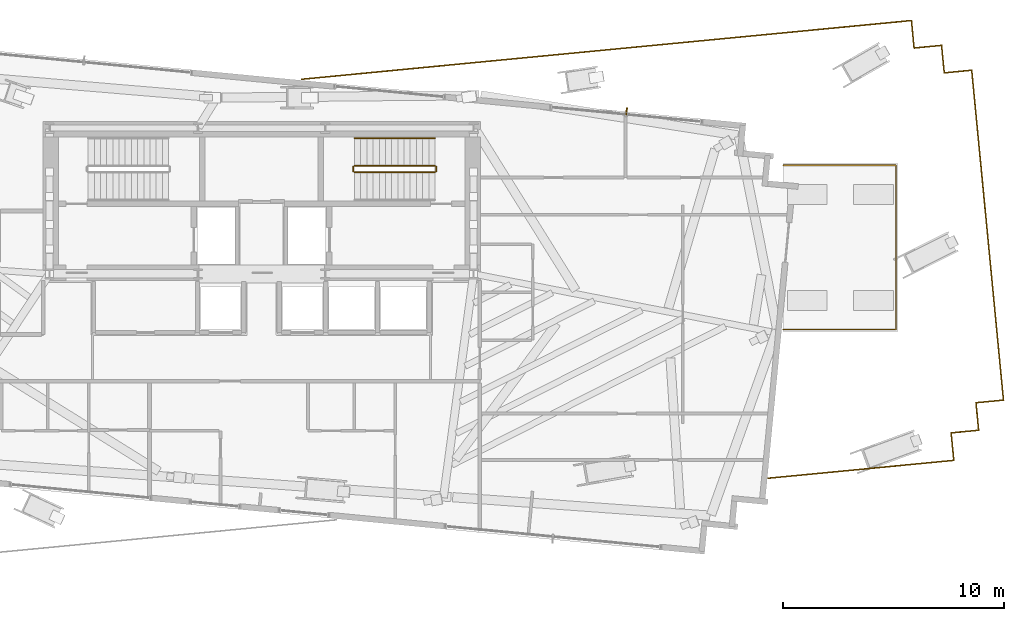
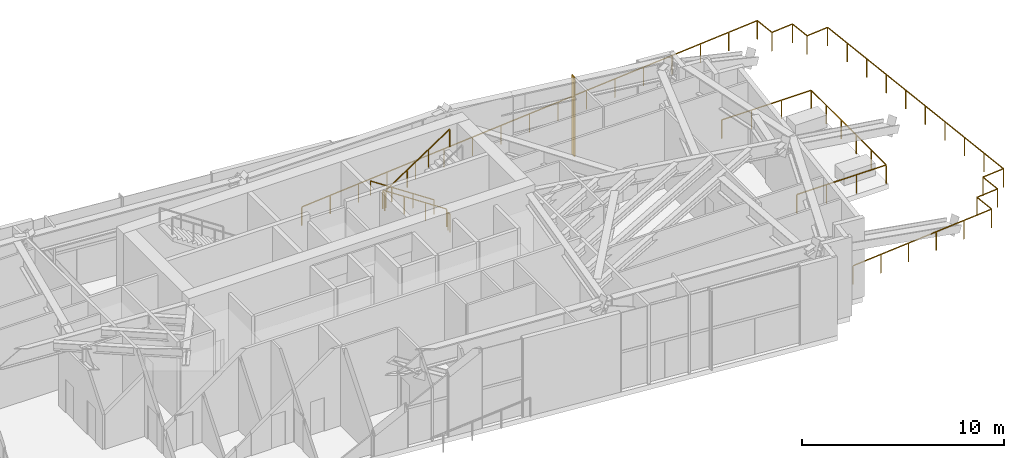
# One storey, part 22 of 23: 8 railings, 1 shading device.
"""IFC4 building model written with IfcOpenShell, lengths in metres."""

from ifc_helpers import new_model, si_unit, direction, frame, origin, origin_2d, place, context, subcontext, project, spatial, rectangle, extrude, source, transform, mapped, material, type_object, type_shapes, element, save


model = new_model("IFC4")

# Units and contexts
model_context = context("Model", 3, precision=1e-05, world=origin(), true_north=direction((0.0, 1.0)))
body_context = subcontext(model_context, "Body", "Model", "MODEL_VIEW")
ifc_project = project(units=[si_unit("LENGTHUNIT", "METRE"), si_unit("AREAUNIT", "SQUARE_METRE"), si_unit("VOLUMEUNIT", "CUBIC_METRE"), si_unit("PLANEANGLEUNIT", "RADIAN"), si_unit("MASSUNIT", "GRAM", prefix="KILO")], contexts=[model_context])

# Site, building, storey
site_placement = place(None, origin())
site = spatial("IfcSite", under=ifc_project, at=site_placement, CompositionType="ELEMENT")
building_placement = place(site_placement, origin())
building = spatial("IfcBuilding", under=site, at=building_placement, Name="Astriad Promenade Condominiums", CompositionType="ELEMENT")
storey_placement = place(building_placement, frame((0.0, 0.0, 119.39990234375)))
storey = spatial("IfcBuildingStorey", under=building, at=storey_placement, Name="L34", CompositionType="ELEMENT", Elevation=119.39990234375)

# Railings
ifc_material_1 = material(Name="Anodised Aluminium and Glass Terrace Guardrail", Category="aluminium")
railing_type_1 = type_object("IfcRailingType", Name="GRD-TERR-1150", PredefinedType="GUARDRAIL", material=ifc_material_1)
shared_shape_1 = source(origin(), body_context, "Body", "SweptSolid", [
    extrude(rectangle(XDim=0.048095703125, YDim=0.048095703125, at=origin_2d()), frame((0.0, 0.0, 1.1259765625), z_axis=(0.995390400822, 0.09590594325, 0.0), x_axis=(-0.09590594325, 0.995390400822, 0.0)), (0.0, 0.0, 1.0), 1.25),
    extrude(rectangle(XDim=0.048095703125, YDim=0.048095703125, at=origin_2d()), frame((1.244140625, 0.119873046875, 1.1259765625), z_axis=(0.09590594325, -0.995390400822, 0.0), x_axis=(0.995390400822, 0.09590594325, 0.0)), (0.0, 0.0, 1.0), 1.25),
    extrude(rectangle(XDim=0.048095703125, YDim=0.048095703125, at=origin_2d()), frame((1.364013671875, -1.124267578125, 1.1259765625), z_axis=(0.995410817983, 0.095693800434, 0.0), x_axis=(-0.095693800434, 0.995410817983, 0.0)), (0.0, 0.0, 1.0), 1.25),
    extrude(rectangle(XDim=0.048095703125, YDim=0.048095703125, at=origin_2d()), frame((2.6083984375, -1.004638671875, 1.1259765625), z_axis=(0.095833668535, -0.995397361849, 0.0), x_axis=(0.995397361849, 0.095833668535, 0.0)), (0.0, 0.0, 1.0), 15.0),
    extrude(rectangle(XDim=0.048095703125, YDim=0.048095703125, at=origin_2d()), frame((4.0458984375, -15.935546875, 1.1259765625), z_axis=(-0.995390400822, -0.09590594325, 0.0), x_axis=(0.09590594325, -0.995390400822, 0.0)), (0.0, 0.0, 1.0), 1.25),
    extrude(rectangle(XDim=0.048095703125, YDim=0.048095703125, at=origin_2d()), frame((2.8017578125, -16.055419921875, 1.1259765625), z_axis=(0.09590594325, -0.995390400822, 0.0), x_axis=(0.995390400822, 0.09590594325, 0.0)), (0.0, 0.0, 1.0), 1.25),
    extrude(rectangle(XDim=0.048095703125, YDim=0.048095703125, at=origin_2d()), frame((2.921630859375, -17.299560546875, 1.1259765625), z_axis=(-0.995392196914, -0.095887300115, 0.0), x_axis=(0.095887300115, -0.995392196914, 0.0)), (0.0, 0.0, 1.0), 1.250244140625),
    extrude(rectangle(XDim=0.048095703125, YDim=0.048095703125, at=origin_2d()), frame((1.67724609375, -17.41943359375, 1.1259765625), z_axis=(0.09590594325, -0.995390400822, 0.0), x_axis=(0.995390400822, 0.09590594325, 0.0)), (0.0, 0.0, 1.0), 1.25),
    extrude(rectangle(XDim=0.048095703125, YDim=0.048095703125, at=origin_2d()), frame((1.797119140625, -18.66357421875, 1.1259765625), z_axis=(-0.995394691254, -0.095861403202, 0.0), x_axis=(0.095861403202, -0.995394691254, 0.0)), (0.0, 0.0, 1.0), 8.429931640625),
    extrude(rectangle(XDim=0.0419921875, YDim=0.0419921875, at=origin_2d()), origin(), (0.0, 0.0, 1.0), 1.101806640625),
    extrude(rectangle(XDim=0.0419921875, YDim=0.0419921875, at=origin_2d()), frame((1.244140625, 0.119873046875, 0.0)), (0.0, 0.0, 1.0), 1.101806640625),
    extrude(rectangle(XDim=0.0419921875, YDim=0.0419921875, at=origin_2d()), frame((1.364013671875, -1.124267578125, 0.0)), (0.0, 0.0, 1.0), 1.101806640625),
    extrude(rectangle(XDim=0.0419921875, YDim=0.0419921875, at=origin_2d()), frame((2.6083984375, -1.004638671875, 0.0)), (0.0, 0.0, 1.0), 1.101806640625),
    extrude(rectangle(XDim=0.0419921875, YDim=0.0419921875, at=origin_2d()), frame((2.76806640625, -2.66357421875, 0.0)), (0.0, 0.0, 1.0), 1.101806640625),
    extrude(rectangle(XDim=0.0419921875, YDim=0.0419921875, at=origin_2d()), frame((2.927734375, -4.322509765625, 0.0)), (0.0, 0.0, 1.0), 1.101806640625),
    extrude(rectangle(XDim=0.0419921875, YDim=0.0419921875, at=origin_2d()), frame((3.087646484375, -5.981689453125, 0.0)), (0.0, 0.0, 1.0), 1.101806640625),
    extrude(rectangle(XDim=0.0419921875, YDim=0.0419921875, at=origin_2d()), frame((3.247314453125, -7.640625, 0.0)), (0.0, 0.0, 1.0), 1.101806640625),
    extrude(rectangle(XDim=0.0419921875, YDim=0.0419921875, at=origin_2d()), frame((3.406982421875, -9.299560546875, 0.0)), (0.0, 0.0, 1.0), 1.101806640625),
    extrude(rectangle(XDim=0.0419921875, YDim=0.0419921875, at=origin_2d()), frame((3.566650390625, -10.95849609375, 0.0)), (0.0, 0.0, 1.0), 1.101806640625),
    extrude(rectangle(XDim=0.0419921875, YDim=0.0419921875, at=origin_2d()), frame((3.7265625, -12.61767578125, 0.0)), (0.0, 0.0, 1.0), 1.101806640625),
    extrude(rectangle(XDim=0.0419921875, YDim=0.0419921875, at=origin_2d()), frame((3.88623046875, -14.276611328125, 0.0)), (0.0, 0.0, 1.0), 1.101806640625),
    extrude(rectangle(XDim=0.0419921875, YDim=0.0419921875, at=origin_2d()), frame((4.0458984375, -15.935546875, 0.0)), (0.0, 0.0, 1.0), 1.101806640625),
    extrude(rectangle(XDim=0.0419921875, YDim=0.0419921875, at=origin_2d()), frame((2.8017578125, -16.055419921875, 0.0)), (0.0, 0.0, 1.0), 1.101806640625),
    extrude(rectangle(XDim=0.0419921875, YDim=0.0419921875, at=origin_2d()), frame((2.921630859375, -17.299560546875, 0.0)), (0.0, 0.0, 1.0), 1.101806640625),
    extrude(rectangle(XDim=0.0419921875, YDim=0.0419921875, at=origin_2d()), frame((1.67724609375, -17.41943359375, 0.0)), (0.0, 0.0, 1.0), 1.101806640625),
    extrude(rectangle(XDim=0.0419921875, YDim=0.0419921875, at=origin_2d()), frame((1.797119140625, -18.66357421875, 0.0)), (0.0, 0.0, 1.0), 1.101806640625),
    extrude(rectangle(XDim=0.0419921875, YDim=0.0419921875, at=origin_2d()), frame((0.118896484375, -18.8251953125, 0.0)), (0.0, 0.0, 1.0), 1.101806640625),
    extrude(rectangle(XDim=0.0419921875, YDim=0.0419921875, at=origin_2d()), frame((-1.559326171875, -18.98681640625, 0.0)), (0.0, 0.0, 1.0), 1.101806640625),
    extrude(rectangle(XDim=0.0419921875, YDim=0.0419921875, at=origin_2d()), frame((-3.237548828125, -19.1484375, 0.0)), (0.0, 0.0, 1.0), 1.101806640625),
    extrude(rectangle(XDim=0.0419921875, YDim=0.0419921875, at=origin_2d()), frame((-4.915771484375, -19.31005859375, 0.0)), (0.0, 0.0, 1.0), 1.101806640625),
    extrude(rectangle(XDim=0.0419921875, YDim=0.0419921875, at=origin_2d()), frame((-6.593994140625, -19.4716796875, 0.0)), (0.0, 0.0, 1.0), 1.101806640625),
])
railing_1_placement = place(storey_placement, frame((65.53564453125, 27.626220703125, 0.0)))
element("IfcRailing", 1, at=railing_1_placement, inside=storey, type_object=railing_type_1, Name="GRD-TSTEP-L34-03", PredefinedType="GUARDRAIL", context=body_context, shape_type="MappedRepresentation", body=[
    mapped(shared_shape_1, transform((0.0, 0.0, 0.0), scale=1.0)),
])
shared_shape_2 = source(origin(), body_context, "Body", "SweptSolid", [
    extrude(rectangle(XDim=0.048095703125, YDim=0.048095703125, at=origin_2d()), frame((0.0, 0.0, 1.1259765625), z_axis=(0.995396567763, 0.095841916121, 0.0), x_axis=(-0.095841916121, 0.995396567763, 0.0)), (0.0, 0.0, 1.0), 27.730224609375),
    extrude(rectangle(XDim=0.048095703125, YDim=0.048095703125, at=origin_2d()), frame((27.6025390625, 2.65771484375, 1.1259765625), z_axis=(0.095693800434, -0.995410817983, 0.0), x_axis=(0.995410817983, 0.095693800434, 0.0)), (0.0, 0.0, 1.0), 1.25),
    extrude(rectangle(XDim=0.0419921875, YDim=0.0419921875, at=origin_2d()), origin(), (0.0, 0.0, 1.0), 1.101806640625),
    extrude(rectangle(XDim=0.0419921875, YDim=0.0419921875, at=origin_2d()), frame((1.72509765625, 0.166015625, 0.0)), (0.0, 0.0, 1.0), 1.101806640625),
    extrude(rectangle(XDim=0.0419921875, YDim=0.0419921875, at=origin_2d()), frame((3.4501953125, 0.332275390625, 0.0)), (0.0, 0.0, 1.0), 1.101806640625),
    extrude(rectangle(XDim=0.0419921875, YDim=0.0419921875, at=origin_2d()), frame((5.175537109375, 0.498291015625, 0.0)), (0.0, 0.0, 1.0), 1.101806640625),
    extrude(rectangle(XDim=0.0419921875, YDim=0.0419921875, at=origin_2d()), frame((6.900634765625, 0.66455078125, 0.0)), (0.0, 0.0, 1.0), 1.101806640625),
    extrude(rectangle(XDim=0.0419921875, YDim=0.0419921875, at=origin_2d()), frame((8.625732421875, 0.83056640625, 0.0)), (0.0, 0.0, 1.0), 1.101806640625),
    extrude(rectangle(XDim=0.0419921875, YDim=0.0419921875, at=origin_2d()), frame((10.35107421875, 0.99658203125, 0.0)), (0.0, 0.0, 1.0), 1.101806640625),
    extrude(rectangle(XDim=0.0419921875, YDim=0.0419921875, at=origin_2d()), frame((12.076171875, 1.162841796875, 0.0)), (0.0, 0.0, 1.0), 1.101806640625),
    extrude(rectangle(XDim=0.0419921875, YDim=0.0419921875, at=origin_2d()), frame((13.80126953125, 1.328857421875, 0.0)), (0.0, 0.0, 1.0), 1.101806640625),
    extrude(rectangle(XDim=0.0419921875, YDim=0.0419921875, at=origin_2d()), frame((15.5263671875, 1.494873046875, 0.0)), (0.0, 0.0, 1.0), 1.101806640625),
    extrude(rectangle(XDim=0.0419921875, YDim=0.0419921875, at=origin_2d()), frame((17.25146484375, 1.6611328125, 0.0)), (0.0, 0.0, 1.0), 1.101806640625),
    extrude(rectangle(XDim=0.0419921875, YDim=0.0419921875, at=origin_2d()), frame((18.976806640625, 1.8271484375, 0.0)), (0.0, 0.0, 1.0), 1.101806640625),
    extrude(rectangle(XDim=0.0419921875, YDim=0.0419921875, at=origin_2d()), frame((20.701904296875, 1.9931640625, 0.0)), (0.0, 0.0, 1.0), 1.101806640625),
    extrude(rectangle(XDim=0.0419921875, YDim=0.0419921875, at=origin_2d()), frame((22.427001953125, 2.159423828125, 0.0)), (0.0, 0.0, 1.0), 1.101806640625),
    extrude(rectangle(XDim=0.0419921875, YDim=0.0419921875, at=origin_2d()), frame((24.15234375, 2.325439453125, 0.0)), (0.0, 0.0, 1.0), 1.101806640625),
    extrude(rectangle(XDim=0.0419921875, YDim=0.0419921875, at=origin_2d()), frame((25.87744140625, 2.49169921875, 0.0)), (0.0, 0.0, 1.0), 1.101806640625),
    extrude(rectangle(XDim=0.0419921875, YDim=0.0419921875, at=origin_2d()), frame((27.6025390625, 2.65771484375, 0.0)), (0.0, 0.0, 1.0), 1.101806640625),
    extrude(rectangle(XDim=0.0419921875, YDim=0.0419921875, at=origin_2d()), frame((27.72216796875, 1.413330078125, 0.0)), (0.0, 0.0, 1.0), 1.101806640625),
])
railing_2_placement = place(storey_placement, frame((37.8134765625, 26.212890625, 0.0)))
element("IfcRailing", 2, at=railing_2_placement, inside=storey, type_object=railing_type_1, Name="GRD-TSTEP-L34-04", PredefinedType="GUARDRAIL", context=body_context, shape_type="MappedRepresentation", body=[
    mapped(shared_shape_2, transform((0.0, 0.0, 0.0), scale=1.0)),
])

# Shading device
ifc_material_2 = material(Name="Anodised aluminium 6063-T6 Black Fin", Category="aluminium")
shading_device_type = type_object("IfcShadingDeviceType", Name="FIN-BLACK-260", PredefinedType="USERDEFINED", material=ifc_material_2)
shared_shape_3 = source(origin(), body_context, "Body", "SweptSolid", [
    extrude(rectangle(XDim=0.06494140625, YDim=0.320068359375, at=origin_2d()), origin(), (0.0, 0.0, 1.0), 4.780029296875),
])
type_shapes(shading_device_type, [shared_shape_3])
shading_device_placement = place(storey_placement, frame((52.5234375, 24.756103515625, 0.0), z_axis=(0.0, 0.0, 1.0), x_axis=(0.995396198367, -0.09584575252, 0.0)))
element("IfcShadingDevice", 3, at=shading_device_placement, inside=storey, type_object=shading_device_type, Name="CW-L34-N-4-FIN-01", ObjectType="FIN", PredefinedType="USERDEFINED", context=body_context, shape_type="MappedRepresentation", body=[
    mapped(shared_shape_3, transform((0.0, 0.0, 0.0), scale=1.0)),
])

# Railings
shared_shape_4 = source(origin(), body_context, "Body", "SweptSolid", [
    extrude(rectangle(XDim=0.048095703125, YDim=0.048095703125, at=origin_2d()), frame((0.0, 0.0, 1.1259765625), z_axis=(1.0, 0.0, 0.0), x_axis=(0.0, 1.0, 0.0)), (0.0, 0.0, 1.0), 5.119873046875),
    extrude(rectangle(XDim=0.048095703125, YDim=0.048095703125, at=origin_2d()), frame((5.119873046875, 0.0, 1.1259765625), z_axis=(0.0, 1.0, 0.0), x_axis=(-1.0, 0.0, 0.0)), (0.0, 0.0, 1.0), 7.440185546875),
    extrude(rectangle(XDim=0.048095703125, YDim=0.048095703125, at=origin_2d()), frame((5.119873046875, 7.440185546875, 1.1259765625), z_axis=(-1.0, 0.0, 0.0), x_axis=(0.0, -1.0, 0.0)), (0.0, 0.0, 1.0), 5.119873046875),
    extrude(rectangle(XDim=0.0419921875, YDim=0.0419921875, at=origin_2d()), origin(), (0.0, 0.0, 1.0), 1.101806640625),
    extrude(rectangle(XDim=0.0419921875, YDim=0.0419921875, at=origin_2d()), frame((1.70654296875, 0.0, 0.0)), (0.0, 0.0, 1.0), 1.101806640625),
    extrude(rectangle(XDim=0.0419921875, YDim=0.0419921875, at=origin_2d()), frame((3.413330078125, 0.0, 0.0)), (0.0, 0.0, 1.0), 1.101806640625),
    extrude(rectangle(XDim=0.0419921875, YDim=0.0419921875, at=origin_2d()), frame((5.119873046875, 0.0, 0.0)), (0.0, 0.0, 1.0), 1.101806640625),
    extrude(rectangle(XDim=0.0419921875, YDim=0.0419921875, at=origin_2d()), frame((5.119873046875, 1.488037109375, 0.0)), (0.0, 0.0, 1.0), 1.101806640625),
    extrude(rectangle(XDim=0.0419921875, YDim=0.0419921875, at=origin_2d()), frame((5.119873046875, 2.97607421875, 0.0)), (0.0, 0.0, 1.0), 1.101806640625),
    extrude(rectangle(XDim=0.0419921875, YDim=0.0419921875, at=origin_2d()), frame((5.119873046875, 4.464111328125, 0.0)), (0.0, 0.0, 1.0), 1.101806640625),
    extrude(rectangle(XDim=0.0419921875, YDim=0.0419921875, at=origin_2d()), frame((5.119873046875, 5.9521484375, 0.0)), (0.0, 0.0, 1.0), 1.101806640625),
    extrude(rectangle(XDim=0.0419921875, YDim=0.0419921875, at=origin_2d()), frame((5.119873046875, 7.440185546875, 0.0)), (0.0, 0.0, 1.0), 1.101806640625),
    extrude(rectangle(XDim=0.0419921875, YDim=0.0419921875, at=origin_2d()), frame((3.413330078125, 7.440185546875, 0.0)), (0.0, 0.0, 1.0), 1.101806640625),
    extrude(rectangle(XDim=0.0419921875, YDim=0.0419921875, at=origin_2d()), frame((1.70654296875, 7.440185546875, 0.0)), (0.0, 0.0, 1.0), 1.101806640625),
    extrude(rectangle(XDim=0.0419921875, YDim=0.0419921875, at=origin_2d()), frame((0.0, 7.440185546875, 0.0)), (0.0, 0.0, 1.0), 1.101806640625),
])
type_shapes(railing_type_1, [shared_shape_1, shared_shape_2, shared_shape_4])
railing_3_placement = place(storey_placement, frame((59.60009765625, 14.8798828125, 0.0)))
element("IfcRailing", 4, at=railing_3_placement, inside=storey, type_object=railing_type_1, Name="GRD-SG-L34", PredefinedType="GUARDRAIL", context=body_context, shape_type="MappedRepresentation", body=[
    mapped(shared_shape_4, transform((0.0, 0.0, 0.0), scale=1.0)),
])
ifc_material_3 = material(Name="Painted Galvanised Steel Guardrail", Category="steel")
railing_type_2 = type_object("IfcRailingType", Name="GRD-STAIR-1100", PredefinedType="GUARDRAIL", material=ifc_material_3)
shared_shape_5 = source(origin(), body_context, "Body", "SweptSolid", [
    extrude(rectangle(XDim=0.048095703125, YDim=0.048095703125, at=origin_2d()), frame((0.0, 0.0, 1.076171875), z_axis=(0.833363587613, 0.0, 0.552725185641), x_axis=(0.0, 1.0, 0.0)), (0.0, 0.0, 1.0), 4.367919921875),
    extrude(rectangle(XDim=0.0419921875, YDim=0.0419921875, at=origin_2d()), origin(), (0.0, 0.0, 1.0), 1.052001953125),
    extrude(rectangle(XDim=0.0419921875, YDim=0.0419921875, at=origin_2d()), frame((1.21337890625, 0.0, 0.8046875)), (0.0, 0.0, 1.0), 1.052001953125),
    extrude(rectangle(XDim=0.0419921875, YDim=0.0419921875, at=origin_2d()), frame((2.4267578125, 0.0, 1.609619140625)), (0.0, 0.0, 1.0), 1.052001953125),
    extrude(rectangle(XDim=0.0419921875, YDim=0.0419921875, at=origin_2d()), frame((3.64013671875, 0.0, 2.414306640625)), (0.0, 0.0, 1.0), 1.052001953125),
])
railing_4_placement = place(storey_placement, frame((40.2099609375, 22.0, 2.785888671875)))
element("IfcRailing", 5, at=railing_4_placement, inside=storey, type_object=railing_type_2, Name="L34 ST-2 stair guard 3", PredefinedType="GUARDRAIL", context=body_context, shape_type="MappedRepresentation", body=[
    mapped(shared_shape_5, transform((0.0, 0.0, 0.0), scale=1.0)),
])
shared_shape_6 = source(origin(), body_context, "Body", "SweptSolid", [
    extrude(rectangle(XDim=0.048095703125, YDim=0.048095703125, at=origin_2d()), frame((0.0, 0.0, 1.076171875), z_axis=(-0.833363587613, 0.0, 0.552725185641), x_axis=(0.0, -1.0, 0.0)), (0.0, 0.0, 1.0), 4.367919921875),
    extrude(rectangle(XDim=0.0419921875, YDim=0.0419921875, at=origin_2d()), origin(), (0.0, 0.0, 1.0), 1.052001953125),
    extrude(rectangle(XDim=0.0419921875, YDim=0.0419921875, at=origin_2d()), frame((-1.21337890625, 0.0, 0.8046875)), (0.0, 0.0, 1.0), 1.052001953125),
    extrude(rectangle(XDim=0.0419921875, YDim=0.0419921875, at=origin_2d()), frame((-2.4267578125, 0.0, 1.609619140625)), (0.0, 0.0, 1.0), 1.052001953125),
    extrude(rectangle(XDim=0.0419921875, YDim=0.0419921875, at=origin_2d()), frame((-3.64013671875, 0.0, 2.414306640625)), (0.0, 0.0, 1.0), 1.052001953125),
])
railing_5_placement = place(storey_placement, frame((43.85009765625, 22.300048828125, 0.185791015625)))
element("IfcRailing", 6, at=railing_5_placement, inside=storey, type_object=railing_type_2, Name="L34 ST-2 stair guard 1", PredefinedType="GUARDRAIL", context=body_context, shape_type="MappedRepresentation", body=[
    mapped(shared_shape_6, transform((0.0, 0.0, 0.0), scale=1.0)),
])
ifc_material_4 = material(Name="Brushed Stainless Steel Handrail", Category="steel")
railing_type_3 = type_object("IfcRailingType", Name="HRL-STAIR-920", PredefinedType="HANDRAIL", material=ifc_material_4)
shared_shape_7 = source(origin(), body_context, "Body", "SweptSolid", [
    extrude(rectangle(XDim=0.048095703125, YDim=0.048095703125, at=origin_2d()), frame((0.0, 0.0, 0.8759765625), z_axis=(-0.833363587613, 0.0, 0.552725185641), x_axis=(0.0, -1.0, 0.0)), (0.0, 0.0, 1.0), 4.367919921875),
    extrude(rectangle(XDim=0.0419921875, YDim=0.0419921875, at=origin_2d()), origin(), (0.0, 0.0, 1.0), 0.851806640625),
    extrude(rectangle(XDim=0.0419921875, YDim=0.0419921875, at=origin_2d()), frame((-1.21337890625, 0.0, 0.8046875)), (0.0, 0.0, 1.0), 0.851806640625),
    extrude(rectangle(XDim=0.0419921875, YDim=0.0419921875, at=origin_2d()), frame((-2.4267578125, 0.0, 1.609619140625)), (0.0, 0.0, 1.0), 0.851806640625),
    extrude(rectangle(XDim=0.0419921875, YDim=0.0419921875, at=origin_2d()), frame((-3.64013671875, 0.0, 2.414306640625)), (0.0, 0.0, 1.0), 0.851806640625),
])
type_shapes(railing_type_3, [shared_shape_7])
railing_6_placement = place(storey_placement, frame((43.85009765625, 23.550048828125, 0.185791015625)))
element("IfcRailing", 7, at=railing_6_placement, inside=storey, type_object=railing_type_3, Name="L34 ST-2 stair handrail 1", PredefinedType="HANDRAIL", context=body_context, shape_type="MappedRepresentation", body=[
    mapped(shared_shape_7, transform((0.0, 0.0, 0.0), scale=1.0)),
])
shared_shape_8 = source(origin(), body_context, "Body", "SweptSolid", [
    extrude(rectangle(XDim=0.048095703125, YDim=0.048095703125, at=origin_2d()), frame((0.0, 0.0, 1.076171875), z_axis=(0.0, -1.0, 0.0), x_axis=(1.0, 0.0, 0.0)), (0.0, 0.0, 1.0), 0.199951171875),
    extrude(rectangle(XDim=0.0419921875, YDim=0.0419921875, at=origin_2d()), origin(), (0.0, 0.0, 1.0), 1.052001953125),
    extrude(rectangle(XDim=0.0419921875, YDim=0.0419921875, at=origin_2d()), frame((0.0, -0.199951171875, 0.0)), (0.0, 0.0, 1.0), 1.052001953125),
])
type_shapes(railing_type_2, [shared_shape_5, shared_shape_6, shared_shape_8])
for number, where, name in (
    (8, (40.159912109375, 22.25, 2.60009765625), "L34 ST-2 stair guard 2"),
    (9, (43.89990234375, 22.25, 0.0), "L34 ST-2 stair guard 4"),
):
    element("IfcRailing", number, at=place(storey_placement, frame(where)), inside=storey, type_object=railing_type_2, Name=name, PredefinedType="GUARDRAIL", context=body_context, shape_type="MappedRepresentation", body=[
        mapped(shared_shape_8, transform((0.0, 0.0, 0.0), scale=1.0)),
    ])

save(model, "model.ifc")
